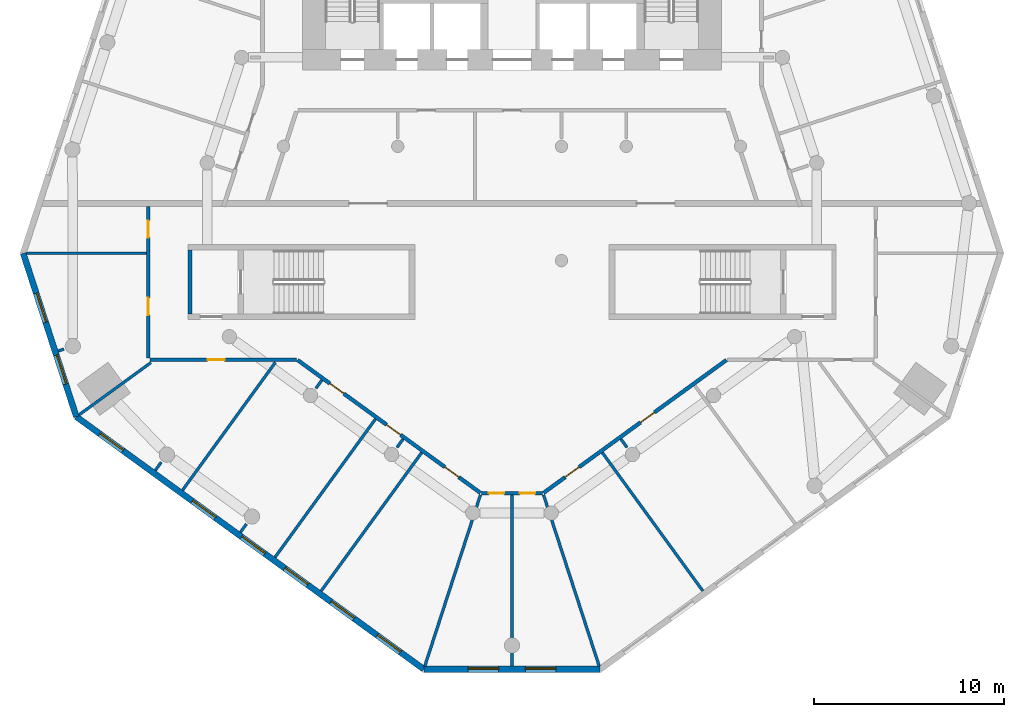
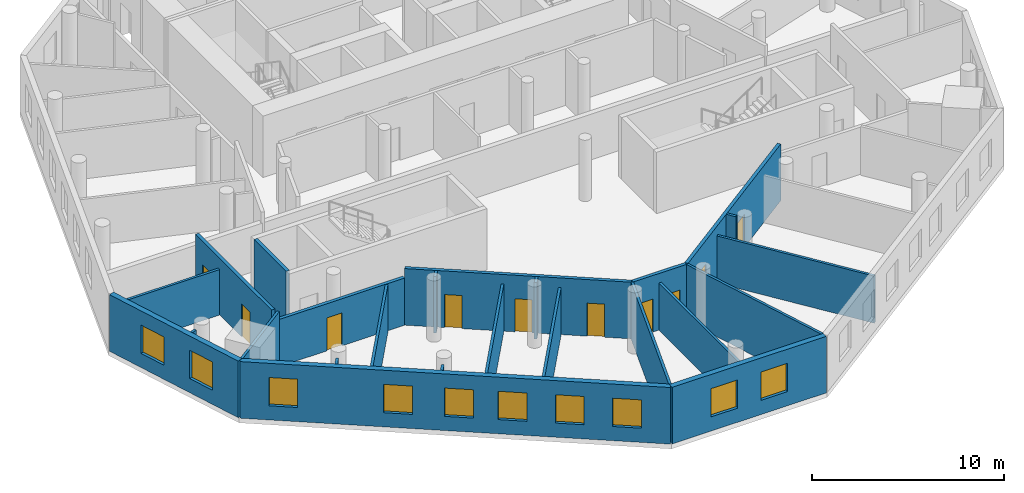
# One storey, part 2 of 9: 24 walls, 10 doors, 10 windows, 20 openings.
"""IFC4 building model written with IfcOpenShell, lengths in metres."""

from ifc_helpers import new_model, si_unit, direction, frame, frame_2d, origin, place, context, subcontext, project, spatial, rectangle, extrude, material, layer, layer_set, type_object, element, fill, save


model = new_model("IFC4")

# Units and contexts
model_context = context("Model", 3, precision=1e-05, world=origin(), true_north=direction((0.0, 1.0)))
body_context = subcontext(model_context, "Body", "Model", "MODEL_VIEW")
ifc_project = project(units=[si_unit("LENGTHUNIT", "METRE"), si_unit("AREAUNIT", "SQUARE_METRE"), si_unit("VOLUMEUNIT", "CUBIC_METRE"), si_unit("PLANEANGLEUNIT", "RADIAN"), si_unit("MASSUNIT", "GRAM", prefix="KILO")], contexts=[model_context])

# Site, building, storey
site_placement = place(None, origin())
site = spatial("IfcSite", under=ifc_project, at=site_placement, CompositionType="ELEMENT")
building_placement = place(site_placement, origin())
building = spatial("IfcBuilding", under=site, at=building_placement, Name="White Candle Pilgrim Tower", CompositionType="ELEMENT")
storey_placement = place(building_placement, frame((0.0, 0.0, 110.300048828125)))
storey = spatial("IfcBuildingStorey", under=building, at=storey_placement, Name="L24", CompositionType="ELEMENT", Elevation=110.300048828125)

# Wall
ifc_material_1 = material(Name="Concrete C60/75", Category="concrete")
ifc_layer_1 = layer(ifc_material_1, 0.199951171875)
ifc_layer_set_1 = layer_set([ifc_layer_1], Name="Core wall 200 mm Concrete C60/75")
wall_type_1 = type_object("IfcWallType", Name="Core wall 200 mm Concrete C60/75", PredefinedType="SHEAR", material=ifc_layer_set_1)
wall_1_placement = place(storey_placement, frame((53.10009765625, 58.199951171875, 0.0), z_axis=(0.0, 0.0, 1.0), x_axis=(0.0, 1.0, 0.0)))
element("IfcWall", 1, at=wall_1_placement, inside=storey, type_object=wall_type_1, Name="WL-L24-C03", PredefinedType="SHEAR", context=body_context, shape_type="SweptSolid", body=[
    extrude(rectangle(XDim=3.35009765625, YDim=0.199951171875, at=frame_2d((1.675048828125, 0.0))), origin(), (0.0, 0.0, 1.0), 3.89990234375),
])

# Wall, openings, doors
ifc_material_2 = material(Name="Gypsum board on steel studs", Category="steel")
ifc_layer_2 = layer(ifc_material_2, 0.199951171875)
ifc_layer_set_2 = layer_set([ifc_layer_2], Name="Corridor wall 200 mm EI 45")
wall_type_2 = type_object("IfcWallType", Name="Corridor wall 200 mm EI 45", PredefinedType="PARTITIONING", material=ifc_layer_set_2)
wall_2_placement = place(storey_placement, frame((81.2578125, 55.781005859375, 0.0), z_axis=(0.0, 0.0, 1.0), x_axis=(-0.809017945603, -0.587783943037, 0.0)))
wall_2 = element("IfcWall", 2, at=wall_2_placement, inside=storey, type_object=wall_type_2, Name="WL-L24-P008", PredefinedType="PARTITIONING", context=body_context, shape_type="SweptSolid", body=[
    extrude(rectangle(XDim=11.86962890625, YDim=0.199951171875, at=frame_2d((5.934814453125, 0.0))), origin(), (0.0, 0.0, 1.0), 3.599853515625),
])
opening_1_placement = place(wall_2_placement, frame((9.565185546875, 0.0, 0.0)))
opening_1 = element("IfcOpeningElement", 3, at=opening_1_placement, cuts=wall_2, Name="Opening T07-108", PredefinedType="OPENING", context=body_context, shape_type="SweptSolid", body=[
    extrude(rectangle(XDim=0.89990234375, YDim=2.10009765625, at=frame_2d((0.449951171875, 1.050048828125))), frame((0.0, 0.10986328125, 0.0), z_axis=(0.0, -1.0, 0.0), x_axis=(1.0, 0.0, 0.0)), (0.0, 0.0, 1.0), 0.219970703125),
])
opening_2_placement = place(wall_2_placement, frame((4.678466796875, 0.0, 0.0)))
opening_2 = element("IfcOpeningElement", 4, at=opening_2_placement, cuts=wall_2, Name="Opening T07-109", PredefinedType="OPENING", context=body_context, shape_type="SweptSolid", body=[
    extrude(rectangle(XDim=0.89990234375, YDim=2.10009765625, at=frame_2d((0.449951171875, 1.050048828125))), frame((0.0, 0.10986328125, 0.0), z_axis=(0.0, -1.0, 0.0), x_axis=(1.0, 0.0, 0.0)), (0.0, 0.0, 1.0), 0.219970703125),
])
ifc_material_3 = material(Name="Steel door leaf", Category="steel")
door_type_1 = type_object("IfcDoorType", Name="Fire door 900 x 2100 EI 30", OperationType="NOTDEFINED", PredefinedType="DOOR", material=ifc_material_3)
door_1_placement = place(opening_1_placement, origin())
door_1 = element("IfcDoor", 5, at=door_1_placement, inside=storey, type_object=door_type_1, Name="Door T07-108", OperationType="SINGLE_SWING_RIGHT", OverallHeight=2.10009765625, OverallWidth=0.89990234375, PredefinedType="DOOR", context=body_context, shape_type="SweptSolid", body=[
    extrude(rectangle(XDim=0.89990234375, YDim=2.10009765625, at=frame_2d((0.449951171875, 1.050048828125))), frame((0.0, 0.02490234375, 0.0), z_axis=(0.0, -1.0, 0.0), x_axis=(1.0, 0.0, 0.0)), (0.0, 0.0, 1.0), 0.050048828125),
])
fill(opening_1, door_1)
door_2_placement = place(opening_2_placement, origin())
door_2 = element("IfcDoor", 6, at=door_2_placement, inside=storey, type_object=door_type_1, Name="Door T07-109", OperationType="SINGLE_SWING_LEFT", OverallHeight=2.10009765625, OverallWidth=0.89990234375, PredefinedType="DOOR", context=body_context, shape_type="SweptSolid", body=[
    extrude(rectangle(XDim=0.89990234375, YDim=2.10009765625, at=frame_2d((0.449951171875, 1.050048828125))), frame((0.0, 0.02490234375, 0.0), z_axis=(0.0, -1.0, 0.0), x_axis=(1.0, 0.0, 0.0)), (0.0, 0.0, 1.0), 0.050048828125),
])
fill(opening_2, door_2)

wall_3_placement = place(storey_placement, frame((71.59619140625, 48.78515625, 0.0), z_axis=(0.0, 0.0, 1.0), x_axis=(-1.0, 0.0, 0.0)))
wall_3 = element("IfcWall", 7, at=wall_3_placement, inside=storey, type_object=wall_type_2, Name="WL-L24-P009", PredefinedType="PARTITIONING", context=body_context, shape_type="SweptSolid", body=[
    extrude(rectangle(XDim=3.1923828125, YDim=0.199951171875, at=frame_2d((1.59619140625, 0.0))), origin(), (0.0, 0.0, 1.0), 3.599853515625),
])
opening_3_placement = place(wall_3_placement, frame((2.0107421875, 0.0, 0.0)))
opening_3 = element("IfcOpeningElement", 8, at=opening_3_placement, cuts=wall_3, Name="Opening T07-106", PredefinedType="OPENING", context=body_context, shape_type="SweptSolid", body=[
    extrude(rectangle(XDim=0.800048828125, YDim=2.10009765625, at=frame_2d((0.39990234375, 1.050048828125))), frame((0.0, 0.10986328125, 0.0), z_axis=(0.0, -1.0, 0.0), x_axis=(1.0, 0.0, 0.0)), (0.0, 0.0, 1.0), 0.219970703125),
])
opening_4_placement = place(wall_3_placement, frame((0.3818359375, 0.0, 0.0)))
opening_4 = element("IfcOpeningElement", 9, at=opening_4_placement, cuts=wall_3, Name="Opening T07-107", PredefinedType="OPENING", context=body_context, shape_type="SweptSolid", body=[
    extrude(rectangle(XDim=0.800048828125, YDim=2.10009765625, at=frame_2d((0.39990234375, 1.050048828125))), frame((0.0, 0.10986328125, 0.0), z_axis=(0.0, -1.0, 0.0), x_axis=(1.0, 0.0, 0.0)), (0.0, 0.0, 1.0), 0.219970703125),
])
door_type_2 = type_object("IfcDoorType", Name="Fire door 800 x 2100 EI 30", OperationType="NOTDEFINED", PredefinedType="DOOR", material=ifc_material_3)
door_3_placement = place(opening_3_placement, origin())
door_3 = element("IfcDoor", 10, at=door_3_placement, inside=storey, type_object=door_type_2, Name="Door T07-106", OperationType="SINGLE_SWING_RIGHT", OverallHeight=2.10009765625, OverallWidth=0.800048828125, PredefinedType="DOOR", context=body_context, shape_type="SweptSolid", body=[
    extrude(rectangle(XDim=0.800048828125, YDim=2.10009765625, at=frame_2d((0.39990234375, 1.050048828125))), frame((0.0, 0.02490234375, 0.0), z_axis=(0.0, -1.0, 0.0), x_axis=(1.0, 0.0, 0.0)), (0.0, 0.0, 1.0), 0.050048828125),
])
fill(opening_3, door_3)
door_4_placement = place(opening_4_placement, origin())
door_4 = element("IfcDoor", 11, at=door_4_placement, inside=storey, type_object=door_type_2, Name="Door T07-107", OperationType="SINGLE_SWING_LEFT", OverallHeight=2.10009765625, OverallWidth=0.800048828125, PredefinedType="DOOR", context=body_context, shape_type="SweptSolid", body=[
    extrude(rectangle(XDim=0.800048828125, YDim=2.10009765625, at=frame_2d((0.39990234375, 1.050048828125))), frame((0.0, 0.02490234375, 0.0), z_axis=(0.0, -1.0, 0.0), x_axis=(1.0, 0.0, 0.0)), (0.0, 0.0, 1.0), 0.050048828125),
])
fill(opening_4, door_4)

wall_4_placement = place(storey_placement, frame((68.344970703125, 48.80419921875, 0.0), z_axis=(0.0, 0.0, 1.0), x_axis=(-0.809017945603, 0.587783943037, 0.0)))
wall_4 = element("IfcWall", 12, at=wall_4_placement, inside=storey, type_object=wall_type_2, Name="WL-L24-P010", PredefinedType="PARTITIONING", context=body_context, shape_type="SweptSolid", body=[
    extrude(rectangle(XDim=11.86962890625, YDim=0.199951171875, at=frame_2d((5.934814453125, 0.0))), origin(), (0.0, 0.0, 1.0), 3.599853515625),
])
opening_5_placement = place(wall_4_placement, frame((8.87158203125, 0.0, 0.0)))
opening_5 = element("IfcOpeningElement", 13, at=opening_5_placement, cuts=wall_4, Name="Opening T07-103", PredefinedType="OPENING", context=body_context, shape_type="SweptSolid", body=[
    extrude(rectangle(XDim=0.89990234375, YDim=2.10009765625, at=frame_2d((0.449951171875, 1.050048828125))), frame((0.0, 0.10986328125, 0.0), z_axis=(0.0, -1.0, 0.0), x_axis=(1.0, 0.0, 0.0)), (0.0, 0.0, 1.0), 0.219970703125),
])
opening_6_placement = place(wall_4_placement, frame((5.19091796875, 0.0, 0.0)))
opening_6 = element("IfcOpeningElement", 14, at=opening_6_placement, cuts=wall_4, Name="Opening T07-104", PredefinedType="OPENING", context=body_context, shape_type="SweptSolid", body=[
    extrude(rectangle(XDim=0.89990234375, YDim=2.10009765625, at=frame_2d((0.449951171875, 1.050048828125))), frame((0.0, 0.10986328125, 0.0), z_axis=(0.0, -1.0, 0.0), x_axis=(1.0, 0.0, 0.0)), (0.0, 0.0, 1.0), 0.219970703125),
])
opening_7_placement = place(wall_4_placement, frame((1.404296875, 0.0, 0.0)))
opening_7 = element("IfcOpeningElement", 15, at=opening_7_placement, cuts=wall_4, Name="Opening T07-105", PredefinedType="OPENING", context=body_context, shape_type="SweptSolid", body=[
    extrude(rectangle(XDim=0.89990234375, YDim=2.10009765625, at=frame_2d((0.449951171875, 1.050048828125))), frame((0.0, 0.10986328125, 0.0), z_axis=(0.0, -1.0, 0.0), x_axis=(1.0, 0.0, 0.0)), (0.0, 0.0, 1.0), 0.219970703125),
])
door_5_placement = place(opening_5_placement, origin())
door_5 = element("IfcDoor", 16, at=door_5_placement, inside=storey, type_object=door_type_1, Name="Door T07-103", OperationType="SINGLE_SWING_LEFT", OverallHeight=2.10009765625, OverallWidth=0.89990234375, PredefinedType="DOOR", context=body_context, shape_type="SweptSolid", body=[
    extrude(rectangle(XDim=0.89990234375, YDim=2.10009765625, at=frame_2d((0.449951171875, 1.050048828125))), frame((0.0, 0.02490234375, 0.0), z_axis=(0.0, -1.0, 0.0), x_axis=(1.0, 0.0, 0.0)), (0.0, 0.0, 1.0), 0.050048828125),
])
fill(opening_5, door_5)
door_6_placement = place(opening_6_placement, origin())
door_6 = element("IfcDoor", 17, at=door_6_placement, inside=storey, type_object=door_type_1, Name="Door T07-104", OperationType="SINGLE_SWING_RIGHT", OverallHeight=2.10009765625, OverallWidth=0.89990234375, PredefinedType="DOOR", context=body_context, shape_type="SweptSolid", body=[
    extrude(rectangle(XDim=0.89990234375, YDim=2.10009765625, at=frame_2d((0.449951171875, 1.050048828125))), frame((0.0, 0.02490234375, 0.0), z_axis=(0.0, -1.0, 0.0), x_axis=(1.0, 0.0, 0.0)), (0.0, 0.0, 1.0), 0.050048828125),
])
fill(opening_6, door_6)
door_7_placement = place(opening_7_placement, origin())
door_7 = element("IfcDoor", 18, at=door_7_placement, inside=storey, type_object=door_type_1, Name="Door T07-105", OperationType="SINGLE_SWING_LEFT", OverallHeight=2.10009765625, OverallWidth=0.89990234375, PredefinedType="DOOR", context=body_context, shape_type="SweptSolid", body=[
    extrude(rectangle(XDim=0.89990234375, YDim=2.10009765625, at=frame_2d((0.449951171875, 1.050048828125))), frame((0.0, 0.02490234375, 0.0), z_axis=(0.0, -1.0, 0.0), x_axis=(1.0, 0.0, 0.0)), (0.0, 0.0, 1.0), 0.050048828125),
])
fill(opening_7, door_7)

# Wall, opening, door
wall_5_placement = place(storey_placement, frame((58.68359375, 55.800048828125, 0.0), z_axis=(0.0, 0.0, 1.0), x_axis=(-1.0, 0.0, 0.0)))
wall_5 = element("IfcWall", 19, at=wall_5_placement, inside=storey, type_object=wall_type_2, Name="WL-L24-P011", PredefinedType="PARTITIONING", context=body_context, shape_type="SweptSolid", body=[
    extrude(rectangle(XDim=7.68359375, YDim=0.199951171875, at=frame_2d((3.841796875, 0.0))), origin(), (0.0, 0.0, 1.0), 3.0),
])
opening_8_placement = place(wall_5_placement, frame((3.767822265625, 0.0, 0.0)))
opening_8 = element("IfcOpeningElement", 20, at=opening_8_placement, cuts=wall_5, Name="Opening T07-102", PredefinedType="OPENING", context=body_context, shape_type="SweptSolid", body=[
    extrude(rectangle(XDim=0.89990234375, YDim=2.10009765625, at=frame_2d((0.449951171875, 1.050048828125))), frame((0.0, 0.10986328125, 0.0), z_axis=(0.0, -1.0, 0.0), x_axis=(1.0, 0.0, 0.0)), (0.0, 0.0, 1.0), 0.219970703125),
])
door_8_placement = place(opening_8_placement, origin())
door_8 = element("IfcDoor", 21, at=door_8_placement, inside=storey, type_object=door_type_1, Name="Door T07-102", OperationType="SINGLE_SWING_RIGHT", OverallHeight=2.10009765625, OverallWidth=0.89990234375, PredefinedType="DOOR", context=body_context, shape_type="SweptSolid", body=[
    extrude(rectangle(XDim=0.89990234375, YDim=2.10009765625, at=frame_2d((0.449951171875, 1.050048828125))), frame((0.0, 0.02490234375, 0.0), z_axis=(0.0, -1.0, 0.0), x_axis=(1.0, 0.0, 0.0)), (0.0, 0.0, 1.0), 0.050048828125),
])
fill(opening_8, door_8)

# Wall, openings, doors
wall_6_placement = place(storey_placement, frame((50.89990234375, 55.89990234375, 0.0), z_axis=(0.0, 0.0, 1.0), x_axis=(0.0, 1.0, 0.0)))
wall_6 = element("IfcWall", 22, at=wall_6_placement, inside=storey, type_object=wall_type_2, Name="WL-L24-P012", PredefinedType="PARTITIONING", context=body_context, shape_type="SweptSolid", body=[
    extrude(rectangle(XDim=7.9501953125, YDim=0.199951171875, at=frame_2d((3.97509765625, 0.0))), origin(), (0.0, 0.0, 1.0), 3.599853515625),
])
opening_9_placement = place(wall_6_placement, frame((2.243408203125, 0.0, 0.0)))
opening_9 = element("IfcOpeningElement", 23, at=opening_9_placement, cuts=wall_6, Name="Opening T07-101", PredefinedType="OPENING", context=body_context, shape_type="SweptSolid", body=[
    extrude(rectangle(XDim=0.89990234375, YDim=2.10009765625, at=frame_2d((0.449951171875, 1.050048828125))), frame((0.0, 0.10986328125, 0.0), z_axis=(0.0, -1.0, 0.0), x_axis=(1.0, 0.0, 0.0)), (0.0, 0.0, 1.0), 0.219970703125),
])
opening_10_placement = place(wall_6_placement, frame((6.305908203125, 0.0, 0.0)))
opening_10 = element("IfcOpeningElement", 24, at=opening_10_placement, cuts=wall_6, Name="Opening T07-116", PredefinedType="OPENING", context=body_context, shape_type="SweptSolid", body=[
    extrude(rectangle(XDim=0.89990234375, YDim=2.10009765625, at=frame_2d((0.449951171875, 1.050048828125))), frame((0.0, 0.10986328125, 0.0), z_axis=(0.0, -1.0, 0.0), x_axis=(1.0, 0.0, 0.0)), (0.0, 0.0, 1.0), 0.219970703125),
])
door_9_placement = place(opening_9_placement, origin())
door_9 = element("IfcDoor", 25, at=door_9_placement, inside=storey, type_object=door_type_1, Name="Door T07-101", OperationType="SINGLE_SWING_LEFT", OverallHeight=2.10009765625, OverallWidth=0.89990234375, PredefinedType="DOOR", context=body_context, shape_type="SweptSolid", body=[
    extrude(rectangle(XDim=0.89990234375, YDim=2.10009765625, at=frame_2d((0.449951171875, 1.050048828125))), frame((0.0, 0.02490234375, 0.0), z_axis=(0.0, -1.0, 0.0), x_axis=(1.0, 0.0, 0.0)), (0.0, 0.0, 1.0), 0.050048828125),
])
fill(opening_9, door_9)
door_10_placement = place(opening_10_placement, origin())
door_10 = element("IfcDoor", 26, at=door_10_placement, inside=storey, type_object=door_type_1, Name="Door T07-116", OperationType="SINGLE_SWING_RIGHT", OverallHeight=2.10009765625, OverallWidth=0.89990234375, PredefinedType="DOOR", context=body_context, shape_type="SweptSolid", body=[
    extrude(rectangle(XDim=0.89990234375, YDim=2.10009765625, at=frame_2d((0.449951171875, 1.050048828125))), frame((0.0, 0.02490234375, 0.0), z_axis=(0.0, -1.0, 0.0), x_axis=(1.0, 0.0, 0.0)), (0.0, 0.0, 1.0), 0.050048828125),
])
fill(opening_10, door_10)

# Wall, openings, windows
ifc_material_4 = material(Name="Precast concrete C40/50", Category="concrete")
ifc_layer_3 = layer(ifc_material_4, 0.320068359375)
ifc_layer_set_3 = layer_set([ifc_layer_3], Name="Facade wall EW1 precast concrete C40/50 pier wall with timber-lined reveals")
wall_type_3 = type_object("IfcWallType", Name="Facade wall EW1 precast concrete C40/50 pier wall with timber-lined reveals", PredefinedType="SOLIDWALL", material=ifc_layer_set_3)
wall_7_placement = place(storey_placement, frame((44.33447265625, 61.38671875, 0.0), z_axis=(0.0, 0.0, 1.0), x_axis=(0.309014528868, -0.951057317384, 0.0)))
wall_7 = element("IfcWall", 27, at=wall_7_placement, inside=storey, type_object=wall_type_3, Name="Facade wall L24 W chamfer", PredefinedType="SOLIDWALL", context=body_context, shape_type="SweptSolid", body=[
    extrude(rectangle(XDim=9.028076171875, YDim=0.320068359375, at=frame_2d((4.51416015625, 0.0))), origin(), (0.0, 0.0, 1.0), 3.599853515625),
])
opening_11_placement = place(wall_7_placement, frame((2.214111328125, 0.0, 0.89990234375)))
opening_11 = element("IfcOpeningElement", 28, at=opening_11_placement, cuts=wall_7, Name="Opening W2", PredefinedType="OPENING", context=body_context, shape_type="SweptSolid", body=[
    extrude(rectangle(XDim=1.60009765625, YDim=1.800048828125, at=frame_2d((0.800048828125, 0.89990234375))), frame((0.0, 0.169921875, 0.0), z_axis=(0.0, -1.0, 0.0), x_axis=(1.0, 0.0, 0.0)), (0.0, 0.0, 1.0), 0.340087890625),
])
opening_12_placement = place(wall_7_placement, frame((5.622314453125, 0.0, 0.89990234375)))
opening_12 = element("IfcOpeningElement", 29, at=opening_12_placement, cuts=wall_7, Name="Opening W2", PredefinedType="OPENING", context=body_context, shape_type="SweptSolid", body=[
    extrude(rectangle(XDim=1.60009765625, YDim=1.800048828125, at=frame_2d((0.800048828125, 0.89990234375))), frame((0.0, 0.169921875, 0.0), z_axis=(0.0, -1.0, 0.0), x_axis=(1.0, 0.0, 0.0)), (0.0, 0.0, 1.0), 0.340087890625),
])
ifc_material_5 = material(Name="Timber frame with triple glazing", Category="wood")
window_type_1 = type_object("IfcWindowType", Name="Window W2 1600x1800 timber frame triple glazing", PartitioningType="SINGLE_PANEL", PredefinedType="WINDOW", material=ifc_material_5)
window_1_placement = place(opening_11_placement, origin())
window_1 = element("IfcWindow", 30, at=window_1_placement, inside=storey, type_object=window_type_1, Name="Window W2 L24 W chamfer 1", OverallHeight=1.800048828125, OverallWidth=1.60009765625, PartitioningType="SINGLE_PANEL", PredefinedType="WINDOW", context=body_context, shape_type="SweptSolid", body=[
    extrude(rectangle(XDim=1.60009765625, YDim=1.800048828125, at=frame_2d((0.800048828125, 0.89990234375))), frame((0.0, 0.070068359375, 0.0), z_axis=(0.0, -1.0, 0.0), x_axis=(1.0, 0.0, 0.0)), (0.0, 0.0, 1.0), 0.06005859375),
])
fill(opening_11, window_1)
window_2_placement = place(opening_12_placement, origin())
window_2 = element("IfcWindow", 31, at=window_2_placement, inside=storey, type_object=window_type_1, Name="Window W2 L24 W chamfer 2", OverallHeight=1.800048828125, OverallWidth=1.60009765625, PartitioningType="SINGLE_PANEL", PredefinedType="WINDOW", context=body_context, shape_type="SweptSolid", body=[
    extrude(rectangle(XDim=1.60009765625, YDim=1.800048828125, at=frame_2d((0.800048828125, 0.89990234375))), frame((0.0, 0.070068359375, 0.0), z_axis=(0.0, -1.0, 0.0), x_axis=(1.0, 0.0, 0.0)), (0.0, 0.0, 1.0), 0.06005859375),
])
fill(opening_12, window_2)

wall_8_placement = place(storey_placement, frame((47.124267578125, 52.800537109375, 0.0), z_axis=(0.0, 0.0, 1.0), x_axis=(0.809019687389, -0.587781545659, 0.0)))
wall_8 = element("IfcWall", 32, at=wall_8_placement, inside=storey, type_object=wall_type_3, Name="Facade wall L24 SW", PredefinedType="SOLIDWALL", context=body_context, shape_type="SweptSolid", body=[
    extrude(rectangle(XDim=22.551513671875, YDim=0.320068359375, at=frame_2d((11.27587890625, 0.0))), origin(), (0.0, 0.0, 1.0), 3.599853515625),
])
opening_13_placement = place(wall_8_placement, frame((1.52587890625, 0.0, 0.89990234375)))
opening_13 = element("IfcOpeningElement", 33, at=opening_13_placement, cuts=wall_8, Name="Opening W1", PredefinedType="OPENING", context=body_context, shape_type="SweptSolid", body=[
    extrude(rectangle(XDim=1.5, YDim=1.800048828125, at=frame_2d((0.75, 0.89990234375))), frame((0.0, 0.169921875, 0.0), z_axis=(0.0, -1.0, 0.0), x_axis=(1.0, 0.0, 0.0)), (0.0, 0.0, 1.0), 0.340087890625),
])
opening_14_placement = place(wall_8_placement, frame((7.52587890625, 0.0, 0.89990234375)))
opening_14 = element("IfcOpeningElement", 34, at=opening_14_placement, cuts=wall_8, Name="Opening W1", PredefinedType="OPENING", context=body_context, shape_type="SweptSolid", body=[
    extrude(rectangle(XDim=1.5, YDim=1.800048828125, at=frame_2d((0.75, 0.89990234375))), frame((0.0, 0.169921875, 0.0), z_axis=(0.0, -1.0, 0.0), x_axis=(1.0, 0.0, 0.0)), (0.0, 0.0, 1.0), 0.340087890625),
])
opening_15_placement = place(wall_8_placement, frame((10.725830078125, 0.0, 0.89990234375)))
opening_15 = element("IfcOpeningElement", 35, at=opening_15_placement, cuts=wall_8, Name="Opening W1", PredefinedType="OPENING", context=body_context, shape_type="SweptSolid", body=[
    extrude(rectangle(XDim=1.5, YDim=1.800048828125, at=frame_2d((0.75, 0.89990234375))), frame((0.0, 0.169921875, 0.0), z_axis=(0.0, -1.0, 0.0), x_axis=(1.0, 0.0, 0.0)), (0.0, 0.0, 1.0), 0.340087890625),
])
opening_16_placement = place(wall_8_placement, frame((13.52587890625, 0.0, 0.89990234375)))
opening_16 = element("IfcOpeningElement", 36, at=opening_16_placement, cuts=wall_8, Name="Opening W1", PredefinedType="OPENING", context=body_context, shape_type="SweptSolid", body=[
    extrude(rectangle(XDim=1.5, YDim=1.800048828125, at=frame_2d((0.75, 0.89990234375))), frame((0.0, 0.169921875, 0.0), z_axis=(0.0, -1.0, 0.0), x_axis=(1.0, 0.0, 0.0)), (0.0, 0.0, 1.0), 0.340087890625),
])
opening_17_placement = place(wall_8_placement, frame((16.52587890625, 0.0, 0.89990234375)))
opening_17 = element("IfcOpeningElement", 37, at=opening_17_placement, cuts=wall_8, Name="Opening W1", PredefinedType="OPENING", context=body_context, shape_type="SweptSolid", body=[
    extrude(rectangle(XDim=1.5, YDim=1.800048828125, at=frame_2d((0.75, 0.89990234375))), frame((0.0, 0.169921875, 0.0), z_axis=(0.0, -1.0, 0.0), x_axis=(1.0, 0.0, 0.0)), (0.0, 0.0, 1.0), 0.340087890625),
])
opening_18_placement = place(wall_8_placement, frame((19.52587890625, 0.0, 0.89990234375)))
opening_18 = element("IfcOpeningElement", 38, at=opening_18_placement, cuts=wall_8, Name="Opening W1", PredefinedType="OPENING", context=body_context, shape_type="SweptSolid", body=[
    extrude(rectangle(XDim=1.5, YDim=1.800048828125, at=frame_2d((0.75, 0.89990234375))), frame((0.0, 0.169921875, 0.0), z_axis=(0.0, -1.0, 0.0), x_axis=(1.0, 0.0, 0.0)), (0.0, 0.0, 1.0), 0.340087890625),
])
window_type_2 = type_object("IfcWindowType", Name="Window W1 1500x1800 timber frame triple glazing", PartitioningType="SINGLE_PANEL", PredefinedType="WINDOW", material=ifc_material_5)
window_3_placement = place(opening_13_placement, origin())
window_3 = element("IfcWindow", 39, at=window_3_placement, inside=storey, type_object=window_type_2, Name="Window W1 L24 SW 1", OverallHeight=1.800048828125, OverallWidth=1.5, PartitioningType="SINGLE_PANEL", PredefinedType="WINDOW", context=body_context, shape_type="SweptSolid", body=[
    extrude(rectangle(XDim=1.5, YDim=1.800048828125, at=frame_2d((0.75, 0.89990234375))), frame((0.0, 0.070068359375, 0.0), z_axis=(0.0, -1.0, 0.0), x_axis=(1.0, 0.0, 0.0)), (0.0, 0.0, 1.0), 0.06005859375),
])
fill(opening_13, window_3)
window_4_placement = place(opening_14_placement, origin())
window_4 = element("IfcWindow", 40, at=window_4_placement, inside=storey, type_object=window_type_2, Name="Window W1 L24 SW 3", OverallHeight=1.800048828125, OverallWidth=1.5, PartitioningType="SINGLE_PANEL", PredefinedType="WINDOW", context=body_context, shape_type="SweptSolid", body=[
    extrude(rectangle(XDim=1.5, YDim=1.800048828125, at=frame_2d((0.75, 0.89990234375))), frame((0.0, 0.070068359375, 0.0), z_axis=(0.0, -1.0, 0.0), x_axis=(1.0, 0.0, 0.0)), (0.0, 0.0, 1.0), 0.06005859375),
])
fill(opening_14, window_4)
window_5_placement = place(opening_15_placement, origin())
window_5 = element("IfcWindow", 41, at=window_5_placement, inside=storey, type_object=window_type_2, Name="Window W1 L24 SW 4", OverallHeight=1.800048828125, OverallWidth=1.5, PartitioningType="SINGLE_PANEL", PredefinedType="WINDOW", context=body_context, shape_type="SweptSolid", body=[
    extrude(rectangle(XDim=1.5, YDim=1.800048828125, at=frame_2d((0.75, 0.89990234375))), frame((0.0, 0.070068359375, 0.0), z_axis=(0.0, -1.0, 0.0), x_axis=(1.0, 0.0, 0.0)), (0.0, 0.0, 1.0), 0.06005859375),
])
fill(opening_15, window_5)
window_6_placement = place(opening_16_placement, origin())
window_6 = element("IfcWindow", 42, at=window_6_placement, inside=storey, type_object=window_type_2, Name="Window W1 L24 SW 5", OverallHeight=1.800048828125, OverallWidth=1.5, PartitioningType="SINGLE_PANEL", PredefinedType="WINDOW", context=body_context, shape_type="SweptSolid", body=[
    extrude(rectangle(XDim=1.5, YDim=1.800048828125, at=frame_2d((0.75, 0.89990234375))), frame((0.0, 0.070068359375, 0.0), z_axis=(0.0, -1.0, 0.0), x_axis=(1.0, 0.0, 0.0)), (0.0, 0.0, 1.0), 0.06005859375),
])
fill(opening_16, window_6)
window_7_placement = place(opening_17_placement, origin())
window_7 = element("IfcWindow", 43, at=window_7_placement, inside=storey, type_object=window_type_2, Name="Window W1 L24 SW 6", OverallHeight=1.800048828125, OverallWidth=1.5, PartitioningType="SINGLE_PANEL", PredefinedType="WINDOW", context=body_context, shape_type="SweptSolid", body=[
    extrude(rectangle(XDim=1.5, YDim=1.800048828125, at=frame_2d((0.75, 0.89990234375))), frame((0.0, 0.070068359375, 0.0), z_axis=(0.0, -1.0, 0.0), x_axis=(1.0, 0.0, 0.0)), (0.0, 0.0, 1.0), 0.06005859375),
])
fill(opening_17, window_7)
window_8_placement = place(opening_18_placement, origin())
window_8 = element("IfcWindow", 44, at=window_8_placement, inside=storey, type_object=window_type_2, Name="Window W1 L24 SW 7", OverallHeight=1.800048828125, OverallWidth=1.5, PartitioningType="SINGLE_PANEL", PredefinedType="WINDOW", context=body_context, shape_type="SweptSolid", body=[
    extrude(rectangle(XDim=1.5, YDim=1.800048828125, at=frame_2d((0.75, 0.89990234375))), frame((0.0, 0.070068359375, 0.0), z_axis=(0.0, -1.0, 0.0), x_axis=(1.0, 0.0, 0.0)), (0.0, 0.0, 1.0), 0.06005859375),
])
fill(opening_18, window_8)

wall_9_placement = place(storey_placement, frame((65.368896484375, 39.545166015625, 0.0), z_axis=(0.0, 0.0, 1.0), x_axis=(1.0, 0.0, 0.0)))
wall_9 = element("IfcWall", 45, at=wall_9_placement, inside=storey, type_object=wall_type_3, Name="Facade wall L24 S chamfer", PredefinedType="SOLIDWALL", context=body_context, shape_type="SweptSolid", body=[
    extrude(rectangle(XDim=9.26220703125, YDim=0.320068359375, at=frame_2d((4.631103515625, 0.0))), origin(), (0.0, 0.0, 1.0), 3.599853515625),
])
opening_19_placement = place(wall_9_placement, frame((2.3310546875, 0.0, 0.89990234375)))
opening_19 = element("IfcOpeningElement", 46, at=opening_19_placement, cuts=wall_9, Name="Opening W2", PredefinedType="OPENING", context=body_context, shape_type="SweptSolid", body=[
    extrude(rectangle(XDim=1.60009765625, YDim=1.800048828125, at=frame_2d((0.800048828125, 0.89990234375))), frame((0.0, 0.169921875, 0.0), z_axis=(0.0, -1.0, 0.0), x_axis=(1.0, 0.0, 0.0)), (0.0, 0.0, 1.0), 0.340087890625),
])
opening_20_placement = place(wall_9_placement, frame((5.3310546875, 0.0, 0.89990234375)))
opening_20 = element("IfcOpeningElement", 47, at=opening_20_placement, cuts=wall_9, Name="Opening W2", PredefinedType="OPENING", context=body_context, shape_type="SweptSolid", body=[
    extrude(rectangle(XDim=1.60009765625, YDim=1.800048828125, at=frame_2d((0.800048828125, 0.89990234375))), frame((0.0, 0.169921875, 0.0), z_axis=(0.0, -1.0, 0.0), x_axis=(1.0, 0.0, 0.0)), (0.0, 0.0, 1.0), 0.340087890625),
])
window_9_placement = place(opening_19_placement, origin())
window_9 = element("IfcWindow", 48, at=window_9_placement, inside=storey, type_object=window_type_1, Name="Window W2 L24 S chamfer 1", OverallHeight=1.800048828125, OverallWidth=1.60009765625, PartitioningType="SINGLE_PANEL", PredefinedType="WINDOW", context=body_context, shape_type="SweptSolid", body=[
    extrude(rectangle(XDim=1.60009765625, YDim=1.800048828125, at=frame_2d((0.800048828125, 0.89990234375))), frame((0.0, 0.070068359375, 0.0), z_axis=(0.0, -1.0, 0.0), x_axis=(1.0, 0.0, 0.0)), (0.0, 0.0, 1.0), 0.06005859375),
])
fill(opening_19, window_9)
window_10_placement = place(opening_20_placement, origin())
window_10 = element("IfcWindow", 49, at=window_10_placement, inside=storey, type_object=window_type_1, Name="Window W2 L24 S chamfer 2", OverallHeight=1.800048828125, OverallWidth=1.60009765625, PartitioningType="SINGLE_PANEL", PredefinedType="WINDOW", context=body_context, shape_type="SweptSolid", body=[
    extrude(rectangle(XDim=1.60009765625, YDim=1.800048828125, at=frame_2d((0.800048828125, 0.89990234375))), frame((0.0, 0.070068359375, 0.0), z_axis=(0.0, -1.0, 0.0), x_axis=(1.0, 0.0, 0.0)), (0.0, 0.0, 1.0), 0.06005859375),
])
fill(opening_20, window_10)

# Walls
ifc_layer_4 = layer(ifc_material_2, 0.14990234375)
ifc_layer_set_4 = layer_set([ifc_layer_4], Name="Partition 150 mm EI 60")
wall_type_4 = type_object("IfcWallType", Name="Partition 150 mm EI 60", PredefinedType="PARTITIONING", material=ifc_layer_set_4)
wall_10_placement = place(storey_placement, frame((44.502685546875, 61.38671875, 0.0), z_axis=(0.0, 0.0, 1.0), x_axis=(1.0, 0.0, 0.0)))
element("IfcWall", 50, at=wall_10_placement, inside=storey, type_object=wall_type_4, Name="WL-L24-P017", PredefinedType="PARTITIONING", context=body_context, shape_type="SweptSolid", body=[
    extrude(rectangle(XDim=6.29736328125, YDim=0.14990234375, at=frame_2d((3.148681640625, 0.0))), origin(), (0.0, 0.0, 1.0), 2.89990234375),
])
wall_11_placement = place(storey_placement, frame((47.260498046875, 52.8994140625, 0.0), z_axis=(0.0, 0.0, 1.0), x_axis=(0.808989118663, 0.587823618005, 0.0)))
element("IfcWall", 51, at=wall_11_placement, inside=storey, type_object=wall_type_4, Name="WL-L24-P018", PredefinedType="PARTITIONING", context=body_context, shape_type="SweptSolid", body=[
    extrude(rectangle(XDim=4.671630859375, YDim=0.14990234375, at=frame_2d((2.3359375, 0.0))), origin(), (0.0, 0.0, 1.0), 3.599853515625),
])
for number, where, z_axis, x_axis, name in (
    (52, (65.4208984375, 39.705078125, 0.0), (0.0, 0.0, 1.0), (0.309027729723, 0.951053028102, 0.0), "WL-L24-P019"),
    (53, (74.5791015625, 39.705078125, 0.0), (0.0, 0.0, 1.0), (-0.309027729723, 0.951053028102, 0.0), "WL-L24-P020"),
):
    element("IfcWall", number, at=place(storey_placement, frame(where, z_axis=z_axis, x_axis=x_axis)), inside=storey, type_object=wall_type_4, Name=name, PredefinedType="PARTITIONING", context=body_context, shape_type="SweptSolid", body=[
        extrude(rectangle(XDim=9.462158203125, YDim=0.14990234375, at=frame_2d((4.73095703125, 0.0))), origin(), (0.0, 0.0, 1.0), 3.599853515625),
    ])
wall_12_placement = place(storey_placement, frame((52.7001953125, 48.947265625, 0.0), z_axis=(0.0, 0.0, 1.0), x_axis=(0.58777249317, 0.809026264266, 0.0)))
element("IfcWall", 54, at=wall_12_placement, inside=storey, type_object=wall_type_4, Name="WL-L24-P028", PredefinedType="PARTITIONING", context=body_context, shape_type="SweptSolid", body=[
    extrude(rectangle(XDim=8.29248046875, YDim=0.14990234375, at=frame_2d((4.146240234375, 0.0))), origin(), (0.0, 0.0, 1.0), 3.0),
])
for number, where, z_axis, x_axis, name in (
    (55, (57.55419921875, 45.420654296875, 0.0), (0.0, 0.0, 1.0), (0.587790127827, 0.809013452069, 0.0), "WL-L24-P029"),
    (56, (59.981201171875, 43.6572265625, 0.0), (0.0, 0.0, 1.0), (0.587790127827, 0.809013452069, 0.0), "WL-L24-P030"),
    (57, (70.0, 39.705078125, 0.0), (0.0, 0.0, 1.0), (0.0, 1.0, 0.0), "WL-L24-P031"),
    (58, (80.018798828125, 43.6572265625, 0.0), (0.0, 0.0, 1.0), (-0.587790127827, 0.809013452069, 0.0), "WL-L24-P032"),
):
    element("IfcWall", number, at=place(storey_placement, frame(where, z_axis=z_axis, x_axis=x_axis)), inside=storey, type_object=wall_type_4, Name=name, PredefinedType="PARTITIONING", context=body_context, shape_type="SweptSolid", body=[
        extrude(rectangle(XDim=8.97998046875, YDim=0.14990234375, at=frame_2d((4.489990234375, 0.0))), origin(), (0.0, 0.0, 1.0), 3.0),
    ])
wall_13_placement = place(storey_placement, frame((46.47509765625, 56.35498046875, 0.0), z_axis=(0.0, 0.0, 1.0), x_axis=(-0.950866223674, -0.309602042428, 0.0)))
element("IfcWall", 59, at=wall_13_placement, inside=storey, type_object=wall_type_4, Name="WL-L24-P041", PredefinedType="PARTITIONING", context=body_context, shape_type="SweptSolid", body=[
    extrude(rectangle(XDim=0.321044921875, YDim=0.14990234375, at=frame_2d((0.16064453125, 0.0))), origin(), (0.0, 0.0, 1.0), 3.599853515625),
])
wall_14_placement = place(storey_placement, frame((51.583984375, 50.419677734375, 0.0), z_axis=(0.0, 0.0, 1.0), x_axis=(-0.587737494258, -0.809051690465, 0.0)))
element("IfcWall", 60, at=wall_14_placement, inside=storey, type_object=wall_type_4, Name="WL-L24-P042", PredefinedType="PARTITIONING", context=body_context, shape_type="SweptSolid", body=[
    extrude(rectangle(XDim=0.534912109375, YDim=0.14990234375, at=frame_2d((0.267578125, 0.0))), origin(), (0.0, 0.0, 1.0), 3.599853515625),
])
wall_15_placement = place(storey_placement, frame((56.053955078125, 47.169677734375, 0.0), z_axis=(0.0, 0.0, 1.0), x_axis=(-0.587844986656, -0.80897359145, 0.0)))
element("IfcWall", 61, at=wall_15_placement, inside=storey, type_object=wall_type_4, Name="WL-L24-P043", PredefinedType="PARTITIONING", context=body_context, shape_type="SweptSolid", body=[
    extrude(rectangle(XDim=0.533203125, YDim=0.14990234375, at=frame_2d((0.2666015625, 0.0))), origin(), (0.0, 0.0, 1.0), 3.599853515625),
])
wall_16_placement = place(storey_placement, frame((59.70068359375, 54.29052734375, 0.0), z_axis=(0.0, 0.0, 1.0), x_axis=(0.587904005015, 0.808930702154, 0.0)))
element("IfcWall", 62, at=wall_16_placement, inside=storey, type_object=wall_type_4, Name="WL-L24-P046", PredefinedType="PARTITIONING", context=body_context, shape_type="SweptSolid", body=[
    extrude(rectangle(XDim=0.542236328125, YDim=0.14990234375, at=frame_2d((0.27099609375, 0.0))), origin(), (0.0, 0.0, 1.0), 3.599853515625),
])
for number, where, z_axis, x_axis, name in (
    (63, (63.960693359375, 51.190673828125, 0.0), (0.0, 0.0, 1.0), (0.588065412804, 0.808813371714, 0.0), "WL-L24-P047"),
    (64, (76.039306640625, 51.190673828125, 0.0), (0.0, 0.0, 1.0), (-0.588065412804, 0.808813371714, 0.0), "WL-L24-P048"),
):
    element("IfcWall", number, at=place(storey_placement, frame(where, z_axis=z_axis, x_axis=x_axis)), inside=storey, type_object=wall_type_4, Name=name, PredefinedType="PARTITIONING", context=body_context, shape_type="SweptSolid", body=[
        extrude(rectangle(XDim=0.54638671875, YDim=0.14990234375, at=frame_2d((0.273193359375, 0.0))), origin(), (0.0, 0.0, 1.0), 3.599853515625),
    ])

save(model, "model.ifc")
